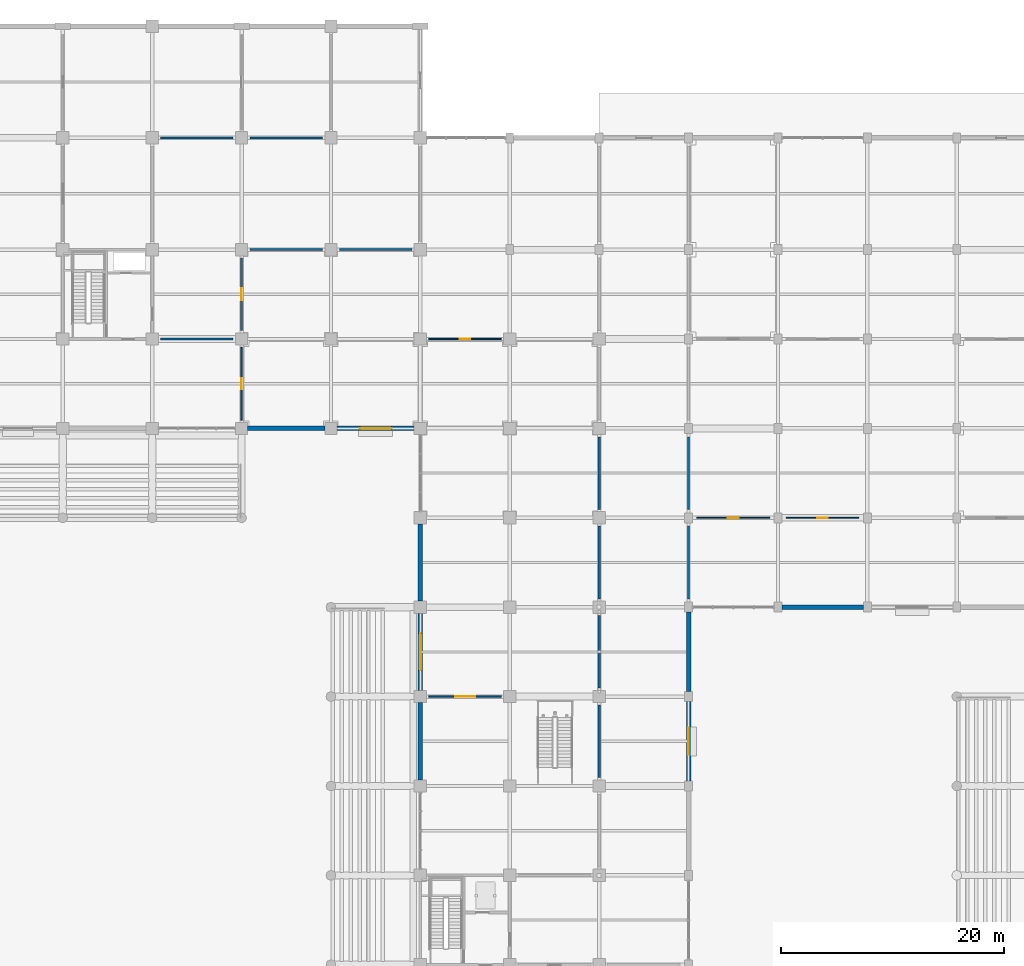
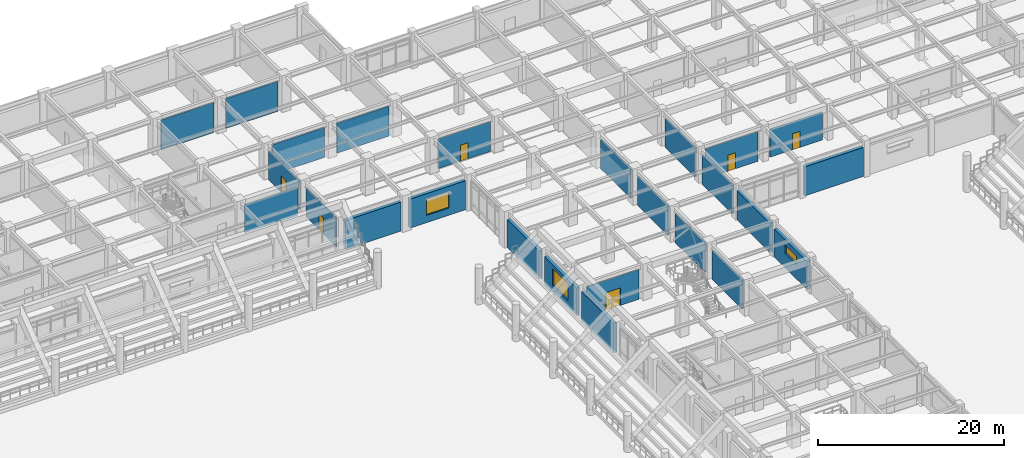
# One storey, part 91 of 125: 25 walls, 6 doors, 3 windows, 9 openings.
"""IFC4 building model written with IfcOpenShell, lengths in metres."""

import ifcopenshell
import ifcopenshell.guid

model = None  # the IFC model being written
_history = None  # IfcOwnerHistory: only IFC2X3 demands one
_inside = {}  # id of a spatial element -> (the spatial element, [elements in it])
_under = {}  # id of a project, library or spatial element -> (it, [spatial elements below it])
_declared = {}  # id of a project -> (the project, [libraries it declares])
_typed = {}  # id of a type object -> (the type object, [elements of that type])
_made_of = {}  # id of a material, layer set ... -> (it, [elements and type objects made of it])


def new_model(schema):
    """Start an empty IFC model of exactly this schema.

    Asked for "IFC4X3", IfcOpenShell would pick the latest addendum, in which some entities
    have other attributes; the version numbers below select the first issue.
    IFC2X3 requires an IfcOwnerHistory on every rooted entity: one is made here for all.
    """
    global model, _history
    if schema == "IFC4X3":
        model = ifcopenshell.file(schema_version=(4, 3, 0, 0))
    else:
        model = ifcopenshell.file(schema=schema)
    _inside.clear()
    _under.clear()
    _declared.clear()
    _typed.clear()
    _made_of.clear()
    _history = None
    if model.schema == "IFC2X3":
        org = make("IfcOrganization", Name="unknown")
        user = make(
            "IfcPersonAndOrganization",
            ThePerson=make("IfcPerson", FamilyName="unknown"),
            TheOrganization=org,
        )
        app = make(
            "IfcApplication",
            ApplicationDeveloper=org,
            Version="unknown",
            ApplicationFullName="unknown",
            ApplicationIdentifier="unknown",
        )
        _history = make(
            "IfcOwnerHistory",
            OwningUser=user,
            OwningApplication=app,
            ChangeAction="ADDED",
            CreationDate=0,
        )
    return model


def make(cls, **values):
    """One entity of the class cls with the attributes given. An attribute that is None is left unset."""
    return model.create_entity(
        cls, **{name: value for name, value in values.items() if value is not None}
    )


def rooted(cls, **values):
    """An entity with a GlobalId (a new one), such as an element, a storey or a relation."""
    return make(cls, GlobalId=ifcopenshell.guid.new(), OwnerHistory=_history, **values)


def si_unit(unit_type, name, prefix=None):
    """IfcSIUnit, for example si_unit("LENGTHUNIT", "METRE", prefix="MILLI")."""
    return make("IfcSIUnit", UnitType=unit_type, Prefix=prefix, Name=name)


def assignment(units):
    """IfcUnitAssignment: the units of a project."""
    return None if units is None else make("IfcUnitAssignment", Units=units)


def point(xyz):
    """IfcCartesianPoint."""
    return None if xyz is None else make("IfcCartesianPoint", Coordinates=xyz)


def direction(xyz):
    """IfcDirection."""
    return None if xyz is None else make("IfcDirection", DirectionRatios=xyz)


def frame(location, z_axis=None, x_axis=None):
    """IfcAxis2Placement3D, a coordinate frame: its origin and axes. An axis left out is left unset."""
    return make(
        "IfcAxis2Placement3D",
        Location=point(location),
        Axis=direction(z_axis),
        RefDirection=direction(x_axis),
    )


def frame_2d(location, x_axis=None):
    """IfcAxis2Placement2D, a coordinate frame in the plane: its origin and x axis."""
    return make(
        "IfcAxis2Placement2D", Location=point(location), RefDirection=direction(x_axis)
    )


def origin():
    """The frame at (0, 0, 0) with its axes left unset."""
    return frame((0.0, 0.0, 0.0))


def place(relative_to, where):
    """IfcLocalPlacement: puts the frame where relative to a parent placement (None: the world)."""
    return make(
        "IfcLocalPlacement", PlacementRelTo=relative_to, RelativePlacement=where
    )


def context(
    kind, dimensions, precision=None, world=None, true_north=None, identifier=None
):
    """IfcGeometricRepresentationContext, for example the 3D "Model" context."""
    return make(
        "IfcGeometricRepresentationContext",
        ContextIdentifier=identifier,
        ContextType=kind,
        CoordinateSpaceDimension=dimensions,
        Precision=precision,
        WorldCoordinateSystem=world,
        TrueNorth=true_north,
    )


def subcontext(parent, identifier, kind, view, scale=None):
    """IfcGeometricRepresentationSubContext, for example "Body" below "Model"."""
    return make(
        "IfcGeometricRepresentationSubContext",
        ContextIdentifier=identifier,
        ContextType=kind,
        ParentContext=parent,
        TargetScale=scale,
        TargetView=view,
    )


def project(units=None, contexts=None):
    """IfcProject with its units and contexts."""
    return rooted(
        "IfcProject",
        Name="project",
        RepresentationContexts=contexts,
        UnitsInContext=assignment(units),
    )


def spatial(cls, under=None, at=None, **own):
    """A site, building, storey or space (cls), placed at a placement, below another one or the project."""
    s = rooted(cls, ObjectPlacement=at, **own)
    if under is not None:
        _under.setdefault(under.id(), (under, []))[1].append(s)
    return s


def profile(cls, at=None, kind="AREA", **sizes):
    """A parametric profile (cls). Its sizes go by their IFC names, for example OverallWidth=200.0."""
    return make(cls, ProfileType=kind, Position=at, **sizes)


def rectangle(**sizes):
    """IfcRectangleProfileDef."""
    return profile("IfcRectangleProfileDef", **sizes)


def extrude(swept, where, along, depth):
    """IfcExtrudedAreaSolid: the profile swept, set in the frame where, extruded along a direction by depth."""
    return make(
        "IfcExtrudedAreaSolid",
        SweptArea=swept,
        Position=where,
        ExtrudedDirection=direction(along),
        Depth=depth,
    )


def shape(context_of_items, identifier, shape_type, items):
    """IfcShapeRepresentation: the items that make up one representation, for example the "Body"."""
    return make(
        "IfcShapeRepresentation",
        ContextOfItems=context_of_items,
        RepresentationIdentifier=identifier,
        RepresentationType=shape_type,
        Items=items,
    )


def material(Name=None, Category=None):
    """IfcMaterial."""
    return make("IfcMaterial", Name=Name, Category=Category)


def layer(
    of_material, thickness, ventilated=None, Name=None, Category=None, Priority=None
):
    """IfcMaterialLayer: one layer of a wall or slab, of a material (None: an air gap)."""
    return make(
        "IfcMaterialLayer",
        Material=of_material,
        LayerThickness=thickness,
        IsVentilated=ventilated,
        Name=Name,
        Category=Category,
        Priority=Priority,
    )


def layer_set(layers, Name=None):
    """IfcMaterialLayerSet."""
    return make("IfcMaterialLayerSet", MaterialLayers=layers, LayerSetName=Name)


def made_of(thing, what):
    """Note that an element or type object is made of a material, layer set ...; save() writes the relation."""
    if what is not None:
        _made_of.setdefault(what.id(), (what, []))[1].append(thing)
    return thing


def type_object(cls, material=None, **own):
    """A type object (cls), such as IfcWallType, which elements share."""
    return made_of(rooted(cls, **own), material)


def element(
    cls,
    number,
    at=None,
    inside=None,
    cuts=None,
    type_object=None,
    material=None,
    context=None,
    identifier="Body",
    shape_type=None,
    held_by="IfcProductDefinitionShape",
    body=None,
    shapes=None,
    **own,
):
    """One element of the class cls, such as IfcWall. Its Tag is "e" and its number.

    at: its placement. inside: the storey or other place that contains it. cuts: it is an
    opening in that element (IfcRelVoidsElement). A single representation is given by context,
    identifier, shape_type and body (its items); several are given by shapes. held_by: the class
    of the entity that holds the representations. save() writes the other relations.
    """
    e = rooted(cls, Tag="e%d" % number, ObjectPlacement=at, **own)
    if body is not None:
        shapes = [shape(context, identifier, shape_type, body)]
    if shapes is not None:
        e.Representation = make(held_by, Representations=shapes)
    if inside is not None:
        _inside.setdefault(inside.id(), (inside, []))[1].append(e)
    if cuts is not None:
        rooted(
            "IfcRelVoidsElement", RelatingBuildingElement=cuts, RelatedOpeningElement=e
        )
    if type_object is not None:
        _typed.setdefault(type_object.id(), (type_object, []))[1].append(e)
    return made_of(e, material)


def fill(opening, filler):
    """IfcRelFillsElement: the door or window that sits in an opening."""
    return rooted(
        "IfcRelFillsElement",
        RelatingOpeningElement=opening,
        RelatedBuildingElement=filler,
    )


def aggregate(whole, parts):
    """IfcRelAggregates: a whole, such as a stair, and the parts it consists of."""
    return rooted("IfcRelAggregates", RelatingObject=whole, RelatedObjects=parts)


def save(model, path):
    """Write the relations noted so far, then the file.

    IfcRelAggregates (storeys below a building ...), IfcRelContainedInSpatialStructure (elements
    in a storey), IfcRelDefinesByType, IfcRelAssociatesMaterial and IfcRelDeclares: one each for
    every whole, place, type object, material and project.
    """
    for whole, parts in _under.values():
        aggregate(whole, parts)
    for where, things in _inside.values():
        rooted(
            "IfcRelContainedInSpatialStructure",
            RelatedElements=things,
            RelatingStructure=where,
        )
    for kind, things in _typed.values():
        rooted("IfcRelDefinesByType", RelatedObjects=things, RelatingType=kind)
    for what, things in _made_of.values():
        rooted("IfcRelAssociatesMaterial", RelatedObjects=things, RelatingMaterial=what)
    for by, libraries in _declared.values():
        rooted("IfcRelDeclares", RelatingContext=by, RelatedDefinitions=libraries)
    model.write(path)


model = new_model("IFC4")

# Units and contexts
model_context = context("Model", 3, precision=1e-05, world=origin(), true_north=direction((0.0, 1.0)))
body_context = subcontext(model_context, "Body", "Model", "MODEL_VIEW")
ifc_project = project(units=[si_unit("LENGTHUNIT", "METRE"), si_unit("AREAUNIT", "SQUARE_METRE"), si_unit("VOLUMEUNIT", "CUBIC_METRE"), si_unit("PLANEANGLEUNIT", "RADIAN"), si_unit("MASSUNIT", "GRAM", prefix="KILO")], contexts=[model_context])

# Site, building, storey
site_placement = place(None, origin())
site = spatial("IfcSite", under=ifc_project, at=site_placement, CompositionType="ELEMENT")
building_placement = place(site_placement, origin())
building = spatial("IfcBuilding", under=site, at=building_placement, Name="Haebicheon Civic Stadium", CompositionType="ELEMENT")
storey_placement = place(building_placement, origin())
storey = spatial("IfcBuildingStorey", under=building, at=storey_placement, Name="L01", CompositionType="ELEMENT", Elevation=0.0)

# Wall
ifc_material_1 = material(Name="Concrete C40/50", Category="concrete")
ifc_layer_1 = layer(ifc_material_1, 0.39990234375, Name="Concrete C40/50")
ifc_layer_set_1 = layer_set([ifc_layer_1], Name="Concrete C40/50")
wall_type_1 = type_object("IfcWallType", Name="EW-BM-400", PredefinedType="SOLIDWALL", material=ifc_layer_set_1)
wall_1_placement = place(storey_placement, frame((128.550048828125, 152.0, 0.0), z_axis=(0.0, 0.0, 1.0), x_axis=(1.0, 0.0, 0.0)))
element("IfcWall", 1, at=wall_1_placement, inside=storey, type_object=wall_type_1, material=ifc_layer_set_1, Name="L01 board-marked concrete facade wall 16-19-S", PredefinedType="SOLIDWALL", context=body_context, shape_type="SweptSolid", body=[
    extrude(rectangle(XDim=6.89990234375, YDim=0.39990234375, at=frame_2d((3.449951171875, 0.0))), origin(), (0.0, 0.0, 1.0), 3.81005859375),
])

# Wall, opening, window
wall_2_placement = place(storey_placement, frame((136.550048828125, 152.0, 0.0), z_axis=(0.0, 0.0, 1.0), x_axis=(1.0, 0.0, 0.0)))
wall_2 = element("IfcWall", 2, at=wall_2_placement, inside=storey, type_object=wall_type_1, material=ifc_layer_set_1, Name="L01 board-marked concrete facade wall 17-19-S", PredefinedType="SOLIDWALL", context=body_context, shape_type="SweptSolid", body=[
    extrude(rectangle(XDim=6.89990234375, YDim=0.39990234375, at=frame_2d((3.449951171875, 0.0))), origin(), (0.0, 0.0, 1.0), 3.81005859375),
])
opening_1_placement = place(wall_2_placement, frame((2.02490234375, 0.0, 0.949951171875)))
opening_1 = element("IfcOpeningElement", 3, at=opening_1_placement, cuts=wall_2, Name="Opening WIN-285x210", PredefinedType="OPENING", context=body_context, shape_type="SweptSolid", body=[
    extrude(rectangle(XDim=2.85009765625, YDim=2.10009765625, at=frame_2d((1.425048828125, 1.050048828125))), frame((0.0, 0.2099609375, 0.0), z_axis=(0.0, -1.0, 0.0), x_axis=(1.0, 0.0, 0.0)), (0.0, 0.0, 1.0), 0.419921875),
])
ifc_material_2 = material(Name="Anodised aluminium and laminated glass", Category="aluminium")
window_type_1 = type_object("IfcWindowType", Name="WIN-285x210", PartitioningType="SINGLE_PANEL", PredefinedType="WINDOW", material=ifc_material_2)
window_1_placement = place(opening_1_placement, origin())
window_1 = element("IfcWindow", 4, at=window_1_placement, inside=storey, type_object=window_type_1, material=ifc_material_2, Name="L01 facade window 014", OverallHeight=2.10009765625, OverallWidth=2.85009765625, PartitioningType="SINGLE_PANEL", PredefinedType="WINDOW", context=body_context, shape_type="SweptSolid", body=[
    extrude(rectangle(XDim=2.85009765625, YDim=2.10009765625, at=frame_2d((1.425048828125, 1.050048828125))), frame((0.0, 0.030029296875, 0.0), z_axis=(0.0, -1.0, 0.0), x_axis=(1.0, 0.0, 0.0)), (0.0, 0.0, 1.0), 0.06005859375),
])
fill(opening_1, window_1)

# Wall
wall_3_placement = place(storey_placement, frame((144.0, 120.550048828125, 0.0), z_axis=(0.0, 0.0, 1.0), x_axis=(0.0, 1.0, 0.0)))
element("IfcWall", 5, at=wall_3_placement, inside=storey, type_object=wall_type_1, material=ifc_layer_set_1, Name="L01 board-marked concrete facade wall 18-15-W", PredefinedType="SOLIDWALL", context=body_context, shape_type="SweptSolid", body=[
    extrude(rectangle(XDim=6.89990234375, YDim=0.39990234375, at=frame_2d((3.449951171875, 0.0))), origin(), (0.0, 0.0, 1.0), 3.909912109375),
])

# Wall, opening, window
wall_4_placement = place(storey_placement, frame((144.0, 128.550048828125, 0.0), z_axis=(0.0, 0.0, 1.0), x_axis=(0.0, 1.0, 0.0)))
wall_4 = element("IfcWall", 6, at=wall_4_placement, inside=storey, type_object=wall_type_1, material=ifc_layer_set_1, Name="L01 board-marked concrete facade wall 18-16-W", PredefinedType="SOLIDWALL", context=body_context, shape_type="SweptSolid", body=[
    extrude(rectangle(XDim=6.89990234375, YDim=0.39990234375, at=frame_2d((3.449951171875, 0.0))), origin(), (0.0, 0.0, 1.0), 3.659912109375),
])
opening_2_placement = place(wall_4_placement, frame((1.800048828125, 0.0, 0.949951171875)))
opening_2 = element("IfcOpeningElement", 7, at=opening_2_placement, cuts=wall_4, Name="Opening WIN-330x220", PredefinedType="OPENING", context=body_context, shape_type="SweptSolid", body=[
    extrude(rectangle(XDim=3.300048828125, YDim=2.199951171875, at=frame_2d((1.64990234375, 1.10009765625))), frame((0.0, 0.2099609375, 0.0), z_axis=(0.0, -1.0, 0.0), x_axis=(1.0, 0.0, 0.0)), (0.0, 0.0, 1.0), 0.419921875),
])
ifc_material_3 = material(Name="Anodised aluminium and laminated glass", Category="aluminium")
window_type_2 = type_object("IfcWindowType", Name="WIN-330x220", PartitioningType="SINGLE_PANEL", PredefinedType="WINDOW", material=ifc_material_3)
window_2_placement = place(opening_2_placement, origin())
window_2 = element("IfcWindow", 8, at=window_2_placement, inside=storey, type_object=window_type_2, material=ifc_material_3, Name="L01 facade window 017", OverallHeight=2.199951171875, OverallWidth=3.300048828125, PartitioningType="SINGLE_PANEL", PredefinedType="WINDOW", context=body_context, shape_type="SweptSolid", body=[
    extrude(rectangle(XDim=3.300048828125, YDim=2.199951171875, at=frame_2d((1.64990234375, 1.10009765625))), frame((0.0, 0.030029296875, 0.0), z_axis=(0.0, -1.0, 0.0), x_axis=(1.0, 0.0, 0.0)), (0.0, 0.0, 1.0), 0.06005859375),
])
fill(opening_2, window_2)

# Wall
wall_5_placement = place(storey_placement, frame((144.0, 136.550048828125, 0.0), z_axis=(0.0, 0.0, 1.0), x_axis=(0.0, 1.0, 0.0)))
element("IfcWall", 9, at=wall_5_placement, inside=storey, type_object=wall_type_1, material=ifc_layer_set_1, Name="L01 board-marked concrete facade wall 18-17-W", PredefinedType="SOLIDWALL", context=body_context, shape_type="SweptSolid", body=[
    extrude(rectangle(XDim=6.89990234375, YDim=0.39990234375, at=frame_2d((3.449951171875, 0.0))), origin(), (0.0, 0.0, 1.0), 3.659912109375),
])

# Wall, opening, window
wall_6_placement = place(storey_placement, frame((168.0, 120.449951171875, 0.0), z_axis=(0.0, 0.0, 1.0), x_axis=(0.0, 1.0, 0.0)))
wall_6 = element("IfcWall", 10, at=wall_6_placement, inside=storey, type_object=wall_type_1, material=ifc_layer_set_1, Name="L01 board-marked concrete facade wall 21-15-E", PredefinedType="SOLIDWALL", context=body_context, shape_type="SweptSolid", body=[
    extrude(rectangle(XDim=7.10009765625, YDim=0.39990234375, at=frame_2d((3.550048828125, 0.0))), origin(), (0.0, 0.0, 1.0), 3.659912109375),
])
opening_3_placement = place(wall_6_placement, frame((2.35009765625, 0.0, 1.89990234375)))
opening_3 = element("IfcOpeningElement", 11, at=opening_3_placement, cuts=wall_6, Name="Opening WIN-240x110", PredefinedType="OPENING", context=body_context, shape_type="SweptSolid", body=[
    extrude(rectangle(XDim=2.39990234375, YDim=1.10009765625, at=frame_2d((1.199951171875, 0.550048828125))), frame((0.0, 0.2099609375, 0.0), z_axis=(0.0, -1.0, 0.0), x_axis=(1.0, 0.0, 0.0)), (0.0, 0.0, 1.0), 0.419921875),
])
ifc_material_4 = material(Name="Anodised aluminium and laminated glass", Category="aluminium")
window_type_3 = type_object("IfcWindowType", Name="WIN-240x110", PartitioningType="SINGLE_PANEL", PredefinedType="LIGHTDOME", material=ifc_material_4)
window_3_placement = place(opening_3_placement, origin())
window_3 = element("IfcWindow", 12, at=window_3_placement, inside=storey, type_object=window_type_3, material=ifc_material_4, Name="L01 facade window 020", OverallHeight=1.10009765625, OverallWidth=2.39990234375, PartitioningType="SINGLE_PANEL", PredefinedType="LIGHTDOME", context=body_context, shape_type="SweptSolid", body=[
    extrude(rectangle(XDim=2.39990234375, YDim=1.10009765625, at=frame_2d((1.199951171875, 0.550048828125))), frame((0.0, 0.030029296875, 0.0), z_axis=(0.0, -1.0, 0.0), x_axis=(1.0, 0.0, 0.0)), (0.0, 0.0, 1.0), 0.06005859375),
])
fill(opening_3, window_3)

# Walls
wall_7_placement = place(storey_placement, frame((168.0, 128.449951171875, 0.0), z_axis=(0.0, 0.0, 1.0), x_axis=(0.0, 1.0, 0.0)))
element("IfcWall", 13, at=wall_7_placement, inside=storey, type_object=wall_type_1, material=ifc_layer_set_1, Name="L01 board-marked concrete facade wall 21-16-E", PredefinedType="SOLIDWALL", context=body_context, shape_type="SweptSolid", body=[
    extrude(rectangle(XDim=7.10009765625, YDim=0.39990234375, at=frame_2d((3.550048828125, 0.0))), origin(), (0.0, 0.0, 1.0), 3.81005859375),
])
wall_8_placement = place(storey_placement, frame((176.35009765625, 136.0, 0.0), z_axis=(0.0, 0.0, 1.0), x_axis=(1.0, 0.0, 0.0)))
element("IfcWall", 14, at=wall_8_placement, inside=storey, type_object=wall_type_1, material=ifc_layer_set_1, Name="L01 board-marked concrete facade wall 22-17-S", PredefinedType="SOLIDWALL", context=body_context, shape_type="SweptSolid", body=[
    extrude(rectangle(XDim=7.2998046875, YDim=0.39990234375, at=frame_2d((3.64990234375, 0.0))), origin(), (0.0, 0.0, 1.0), 3.81005859375),
])
ifc_material_5 = material(Name="Concrete C35/45", Category="concrete")
ifc_layer_2 = layer(ifc_material_5, 0.199951171875, Name="Concrete C35/45")
ifc_layer_set_2 = layer_set([ifc_layer_2], Name="Concrete C35/45")
wall_type_2 = type_object("IfcWallType", Name="IW-FIR-200", PredefinedType="PARTITIONING", material=ifc_layer_set_2)
wall_9_placement = place(storey_placement, frame((160.0, 128.75, 0.0), z_axis=(0.0, 0.0, 1.0), x_axis=(0.0, 1.0, 0.0)))
element("IfcWall", 15, at=wall_9_placement, inside=storey, type_object=wall_type_2, material=ifc_layer_set_2, Name="L01 braced-frame solid fire wall 20-16", PredefinedType="PARTITIONING", context=body_context, shape_type="SweptSolid", body=[
    extrude(rectangle(XDim=6.5, YDim=0.199951171875, at=frame_2d((3.25, 0.0))), origin(), (0.0, 0.0, 1.0), 3.81005859375),
])

# Wall, opening, door
wall_10_placement = place(storey_placement, frame((128.0, 160.75, 0.0), z_axis=(0.0, 0.0, 1.0), x_axis=(0.0, 1.0, 0.0)))
wall_10 = element("IfcWall", 16, at=wall_10_placement, inside=storey, type_object=wall_type_2, material=ifc_layer_set_2, Name="L01 KC-09 protected exit passage EI 120 wall 01", PredefinedType="PARTITIONING", context=body_context, shape_type="SweptSolid", body=[
    extrude(rectangle(XDim=6.5, YDim=0.199951171875, at=frame_2d((3.25, 0.0))), origin(), (0.0, 0.0, 1.0), 3.81005859375),
])
opening_4_placement = place(wall_10_placement, frame((2.699951171875, 0.0, 0.0)))
opening_4 = element("IfcOpeningElement", 17, at=opening_4_placement, cuts=wall_10, Name="Opening D-L01-PXP-06", PredefinedType="OPENING", context=body_context, shape_type="SweptSolid", body=[
    extrude(rectangle(XDim=1.10009765625, YDim=2.199951171875, at=frame_2d((0.550048828125, 1.10009765625))), frame((0.0, 0.10986328125, 0.0), z_axis=(0.0, -1.0, 0.0), x_axis=(1.0, 0.0, 0.0)), (0.0, 0.0, 1.0), 0.219970703125),
])
ifc_material_6 = material(Name="Galvanised painted steel SM355", Category="steel")
door_type_1 = type_object("IfcDoorType", Name="ID-FD-1100", OperationType="NOTDEFINED", PredefinedType="DOOR", material=ifc_material_6)
door_1_placement = place(opening_4_placement, origin())
door_1 = element("IfcDoor", 18, at=door_1_placement, inside=storey, type_object=door_type_1, material=ifc_material_6, Name="L01 KC-09 protected exit passage lobby fire door", OperationType="SINGLE_SWING_RIGHT", OverallHeight=2.199951171875, OverallWidth=1.10009765625, PredefinedType="DOOR", context=body_context, shape_type="SweptSolid", body=[
    extrude(rectangle(XDim=1.10009765625, YDim=2.199951171875, at=frame_2d((0.550048828125, 1.10009765625))), frame((0.0, 0.02490234375, 0.0), z_axis=(0.0, -1.0, 0.0), x_axis=(1.0, 0.0, 0.0)), (0.0, 0.0, 1.0), 0.050048828125),
])
fill(opening_4, door_1)

# Walls
wall_11_placement = place(storey_placement, frame((120.75, 160.0, 0.0), z_axis=(0.0, 0.0, 1.0), x_axis=(1.0, 0.0, 0.0)))
element("IfcWall", 19, at=wall_11_placement, inside=storey, type_object=wall_type_2, material=ifc_layer_set_2, Name="L01 KC-09 protected exit passage EI 120 wall 02", PredefinedType="PARTITIONING", context=body_context, shape_type="SweptSolid", body=[
    extrude(rectangle(XDim=6.5, YDim=0.199951171875, at=frame_2d((3.25, 0.0))), origin(), (0.0, 0.0, 1.0), 3.659912109375),
])
for number, where, z_axis, x_axis, name in (
    (20, (120.75, 178.0, 0.0), (0.0, 0.0, 1.0), (1.0, 0.0, 0.0), "L01 KC-09 protected exit passage EI 120 wall 04"),
    (21, (128.75, 168.0, 0.0), (0.0, 0.0, 1.0), (1.0, 0.0, 0.0), "L01 KC-09 protected exit passage EI 120 wall 05"),
    (22, (128.75, 178.0, 0.0), (0.0, 0.0, 1.0), (1.0, 0.0, 0.0), "L01 KC-09 protected exit passage EI 120 wall 06"),
    (23, (136.75, 168.0, 0.0), (0.0, 0.0, 1.0), (1.0, 0.0, 0.0), "L01 KC-09 protected exit passage EI 120 wall 08"),
):
    element("IfcWall", number, at=place(storey_placement, frame(where, z_axis=z_axis, x_axis=x_axis)), inside=storey, type_object=wall_type_2, material=ifc_layer_set_2, Name=name, PredefinedType="PARTITIONING", context=body_context, shape_type="SweptSolid", body=[
        extrude(rectangle(XDim=6.5, YDim=0.199951171875, at=frame_2d((3.25, 0.0))), origin(), (0.0, 0.0, 1.0), 3.909912109375),
    ])
for number, where, z_axis, x_axis, name in (
    (24, (160.0, 120.75, 0.0), (0.0, 0.0, 1.0), (0.0, 1.0, 0.0), "L01 KC-11 protected exit passage EI 120 wall 05"),
    (25, (160.0, 136.75, 0.0), (0.0, 0.0, 1.0), (0.0, 1.0, 0.0), "L01 KC-11 protected exit passage EI 120 wall 07"),
    (26, (168.0, 136.75, 0.0), (0.0, 0.0, 1.0), (0.0, 1.0, 0.0), "L01 KC-11 protected exit passage EI 120 wall 08"),
    (27, (160.0, 144.75, 0.0), (0.0, 0.0, 1.0), (0.0, 1.0, 0.0), "L01 KC-11 protected exit passage EI 120 wall 09"),
    (28, (168.0, 144.75, 0.0), (0.0, 0.0, 1.0), (0.0, 1.0, 0.0), "L01 KC-11 protected exit passage EI 120 wall 10"),
):
    element("IfcWall", number, at=place(storey_placement, frame(where, z_axis=z_axis, x_axis=x_axis)), inside=storey, type_object=wall_type_2, material=ifc_layer_set_2, Name=name, PredefinedType="PARTITIONING", context=body_context, shape_type="SweptSolid", body=[
        extrude(rectangle(XDim=6.5, YDim=0.199951171875, at=frame_2d((3.25, 0.0))), origin(), (0.0, 0.0, 1.0), 3.81005859375),
    ])

# Wall, opening, door
ifc_material_7 = material(Name="Anodised aluminium and laminated glass", Category="aluminium")
ifc_layer_3 = layer(ifc_material_7, 0.10009765625, Name="Anodised aluminium and laminated glass")
ifc_layer_set_3 = layer_set([ifc_layer_3], Name="Anodised aluminium and laminated glass")
wall_type_3 = type_object("IfcWallType", Name="IW-PRT-100", PredefinedType="PARTITIONING", material=ifc_layer_set_3)
wall_12_placement = place(storey_placement, frame((144.75, 160.0, 0.0), z_axis=(0.0, 0.0, 1.0), x_axis=(1.0, 0.0, 0.0)))
wall_12 = element("IfcWall", 29, at=wall_12_placement, inside=storey, type_object=wall_type_3, material=ifc_layer_set_3, Name="L01 Hospitality Welcome Lounge partition wall", PredefinedType="PARTITIONING", context=body_context, shape_type="SweptSolid", body=[
    extrude(rectangle(XDim=6.5, YDim=0.10009765625, at=frame_2d((3.25, 0.0))), origin(), (0.0, 0.0, 1.0), 3.909912109375),
])
opening_5_placement = place(wall_12_placement, frame((2.77490234375, 0.0, 0.0)))
opening_5 = element("IfcOpeningElement", 30, at=opening_5_placement, cuts=wall_12, Name="Opening D-L01-153", PredefinedType="OPENING", context=body_context, shape_type="SweptSolid", body=[
    extrude(rectangle(XDim=0.949951171875, YDim=2.10009765625, at=frame_2d((0.47509765625, 1.050048828125))), frame((0.0, 0.06005859375, 0.0), z_axis=(0.0, -1.0, 0.0), x_axis=(1.0, 0.0, 0.0)), (0.0, 0.0, 1.0), 0.1201171875),
])
ifc_material_8 = material(Name="Engineered hardwood timber", Category="wood")
door_type_2 = type_object("IfcDoorType", Name="ID-RM-0950", OperationType="NOTDEFINED", PredefinedType="DOOR", material=ifc_material_8)
door_2_placement = place(opening_5_placement, origin())
door_2 = element("IfcDoor", 31, at=door_2_placement, inside=storey, type_object=door_type_2, material=ifc_material_8, Name="L01 Hospitality Welcome Lounge entrance door D-L01-153", OperationType="SINGLE_SWING_RIGHT", OverallHeight=2.10009765625, OverallWidth=0.949951171875, PredefinedType="DOOR", context=body_context, shape_type="SweptSolid", body=[
    extrude(rectangle(XDim=0.949951171875, YDim=2.10009765625, at=frame_2d((0.47509765625, 1.050048828125))), frame((0.0, 0.02490234375, 0.0), z_axis=(0.0, -1.0, 0.0), x_axis=(1.0, 0.0, 0.0)), (0.0, 0.0, 1.0), 0.050048828125),
])
fill(opening_5, door_2)

wall_13_placement = place(storey_placement, frame((168.75, 144.0, 0.0), z_axis=(0.0, 0.0, 1.0), x_axis=(1.0, 0.0, 0.0)))
wall_13 = element("IfcWall", 32, at=wall_13_placement, inside=storey, type_object=wall_type_3, material=ifc_layer_set_3, Name="L01 Hospitality Welcome Lounge partition wall", PredefinedType="PARTITIONING", context=body_context, shape_type="SweptSolid", body=[
    extrude(rectangle(XDim=6.5, YDim=0.10009765625, at=frame_2d((3.25, 0.0))), origin(), (0.0, 0.0, 1.0), 3.909912109375),
])
opening_6_placement = place(wall_13_placement, frame((2.77490234375, 0.0, 0.0)))
opening_6 = element("IfcOpeningElement", 33, at=opening_6_placement, cuts=wall_13, Name="Opening D-L01-157", PredefinedType="OPENING", context=body_context, shape_type="SweptSolid", body=[
    extrude(rectangle(XDim=0.949951171875, YDim=2.10009765625, at=frame_2d((0.47509765625, 1.050048828125))), frame((0.0, 0.06005859375, 0.0), z_axis=(0.0, -1.0, 0.0), x_axis=(1.0, 0.0, 0.0)), (0.0, 0.0, 1.0), 0.1201171875),
])
door_3_placement = place(opening_6_placement, origin())
door_3 = element("IfcDoor", 34, at=door_3_placement, inside=storey, type_object=door_type_2, material=ifc_material_8, Name="L01 Hospitality Welcome Lounge entrance door D-L01-157", OperationType="SINGLE_SWING_RIGHT", OverallHeight=2.10009765625, OverallWidth=0.949951171875, PredefinedType="DOOR", context=body_context, shape_type="SweptSolid", body=[
    extrude(rectangle(XDim=0.949951171875, YDim=2.10009765625, at=frame_2d((0.47509765625, 1.050048828125))), frame((0.0, 0.02490234375, 0.0), z_axis=(0.0, -1.0, 0.0), x_axis=(1.0, 0.0, 0.0)), (0.0, 0.0, 1.0), 0.050048828125),
])
fill(opening_6, door_3)

wall_14_placement = place(storey_placement, frame((176.75, 144.0, 0.0), z_axis=(0.0, 0.0, 1.0), x_axis=(1.0, 0.0, 0.0)))
wall_14 = element("IfcWall", 35, at=wall_14_placement, inside=storey, type_object=wall_type_3, material=ifc_layer_set_3, Name="L01 Hospitality Welcome Lounge partition wall", PredefinedType="PARTITIONING", context=body_context, shape_type="SweptSolid", body=[
    extrude(rectangle(XDim=6.5, YDim=0.10009765625, at=frame_2d((3.25, 0.0))), origin(), (0.0, 0.0, 1.0), 3.659912109375),
])
opening_7_placement = place(wall_14_placement, frame((2.77490234375, 0.0, 0.0)))
opening_7 = element("IfcOpeningElement", 36, at=opening_7_placement, cuts=wall_14, Name="Opening D-L01-161", PredefinedType="OPENING", context=body_context, shape_type="SweptSolid", body=[
    extrude(rectangle(XDim=0.949951171875, YDim=2.10009765625, at=frame_2d((0.47509765625, 1.050048828125))), frame((0.0, 0.06005859375, 0.0), z_axis=(0.0, -1.0, 0.0), x_axis=(1.0, 0.0, 0.0)), (0.0, 0.0, 1.0), 0.1201171875),
])
door_4_placement = place(opening_7_placement, origin())
door_4 = element("IfcDoor", 37, at=door_4_placement, inside=storey, type_object=door_type_2, material=ifc_material_8, Name="L01 Hospitality Welcome Lounge entrance door D-L01-161", OperationType="SINGLE_SWING_RIGHT", OverallHeight=2.10009765625, OverallWidth=0.949951171875, PredefinedType="DOOR", context=body_context, shape_type="SweptSolid", body=[
    extrude(rectangle(XDim=0.949951171875, YDim=2.10009765625, at=frame_2d((0.47509765625, 1.050048828125))), frame((0.0, 0.02490234375, 0.0), z_axis=(0.0, -1.0, 0.0), x_axis=(1.0, 0.0, 0.0)), (0.0, 0.0, 1.0), 0.050048828125),
])
fill(opening_7, door_4)

ifc_material_9 = material(Name="Gypsum plasterboard on steel studs", Category="gypsum")
ifc_layer_4 = layer(ifc_material_9, 0.1201171875, Name="Gypsum plasterboard on steel studs")
ifc_layer_set_4 = layer_set([ifc_layer_4], Name="Gypsum plasterboard on steel studs")
wall_type_4 = type_object("IfcWallType", Name="IW-PRT-120", PredefinedType="PARTITIONING", material=ifc_layer_set_4)
wall_15_placement = place(storey_placement, frame((128.0, 152.75, 0.0), z_axis=(0.0, 0.0, 1.0), x_axis=(0.0, 1.0, 0.0)))
wall_15 = element("IfcWall", 38, at=wall_15_placement, inside=storey, type_object=wall_type_4, material=ifc_layer_set_4, Name="L01 Food and Beverage Kiosk partition wall", PredefinedType="PARTITIONING", context=body_context, shape_type="SweptSolid", body=[
    extrude(rectangle(XDim=6.5, YDim=0.1201171875, at=frame_2d((3.25, 0.0))), origin(), (0.0, 0.0, 1.0), 3.81005859375),
])
opening_8_placement = place(wall_15_placement, frame((2.75, 0.0, 0.0)))
opening_8 = element("IfcOpeningElement", 39, at=opening_8_placement, cuts=wall_15, Name="Opening D-L01-134", PredefinedType="OPENING", context=body_context, shape_type="SweptSolid", body=[
    extrude(rectangle(XDim=1.0, YDim=2.10009765625, at=frame_2d((0.5, 1.050048828125))), frame((0.0, 0.070068359375, 0.0), z_axis=(0.0, -1.0, 0.0), x_axis=(1.0, 0.0, 0.0)), (0.0, 0.0, 1.0), 0.14013671875),
])
ifc_material_10 = material(Name="Engineered hardwood timber", Category="wood")
door_type_3 = type_object("IfcDoorType", Name="ID-RM-1000", OperationType="NOTDEFINED", PredefinedType="DOOR", material=ifc_material_10)
door_5_placement = place(opening_8_placement, origin())
door_5 = element("IfcDoor", 40, at=door_5_placement, inside=storey, type_object=door_type_3, material=ifc_material_10, Name="L01 Food and Beverage Kiosk entrance door D-L01-134", OperationType="SINGLE_SWING_RIGHT", OverallHeight=2.10009765625, OverallWidth=1.0, PredefinedType="DOOR", context=body_context, shape_type="SweptSolid", body=[
    extrude(rectangle(XDim=1.0, YDim=2.10009765625, at=frame_2d((0.5, 1.050048828125))), frame((0.0, 0.02490234375, 0.0), z_axis=(0.0, -1.0, 0.0), x_axis=(1.0, 0.0, 0.0)), (0.0, 0.0, 1.0), 0.050048828125),
])
fill(opening_8, door_5)

ifc_material_11 = material(Name="Gypsum plasterboard on steel studs", Category="gypsum")
ifc_layer_5 = layer(ifc_material_11, 0.14990234375, Name="Gypsum plasterboard on steel studs")
ifc_layer_set_5 = layer_set([ifc_layer_5], Name="Gypsum plasterboard on steel studs")
wall_type_5 = type_object("IfcWallType", Name="IW-PRT-150", PredefinedType="PARTITIONING", material=ifc_layer_set_5)
wall_16_placement = place(storey_placement, frame((144.75, 128.0, 0.0), z_axis=(0.0, 0.0, 1.0), x_axis=(1.0, 0.0, 0.0)))
wall_16 = element("IfcWall", 41, at=wall_16_placement, inside=storey, type_object=wall_type_5, material=ifc_layer_set_5, Name="L01 Supporters' Dining Hall partition wall", PredefinedType="PARTITIONING", context=body_context, shape_type="SweptSolid", body=[
    extrude(rectangle(XDim=6.5, YDim=0.14990234375, at=frame_2d((3.25, 0.0))), origin(), (0.0, 0.0, 1.0), 3.909912109375),
])
opening_9_placement = place(wall_16_placement, frame((2.35009765625, 0.0, 0.0)))
opening_9 = element("IfcOpeningElement", 42, at=opening_9_placement, cuts=wall_16, Name="Opening D-L01-138", PredefinedType="OPENING", context=body_context, shape_type="SweptSolid", body=[
    extrude(rectangle(XDim=1.800048828125, YDim=2.300048828125, at=frame_2d((0.89990234375, 1.14990234375))), frame((0.0, 0.0849609375, 0.0), z_axis=(0.0, -1.0, 0.0), x_axis=(1.0, 0.0, 0.0)), (0.0, 0.0, 1.0), 0.169921875),
])
ifc_material_12 = material(Name="Galvanised painted steel SM355", Category="steel")
door_type_4 = type_object("IfcDoorType", Name="ID-DBL-1800", OperationType="NOTDEFINED", PredefinedType="DOOR", material=ifc_material_12)
door_6_placement = place(opening_9_placement, origin())
door_6 = element("IfcDoor", 43, at=door_6_placement, inside=storey, type_object=door_type_4, material=ifc_material_12, Name="L01 Supporters' Dining Hall entrance door D-L01-138", OperationType="DOUBLE_SWING_LEFT", OverallHeight=2.300048828125, OverallWidth=1.800048828125, PredefinedType="DOOR", context=body_context, shape_type="SweptSolid", body=[
    extrude(rectangle(XDim=1.800048828125, YDim=2.300048828125, at=frame_2d((0.89990234375, 1.14990234375))), frame((0.0, 0.02490234375, 0.0), z_axis=(0.0, -1.0, 0.0), x_axis=(1.0, 0.0, 0.0)), (0.0, 0.0, 1.0), 0.050048828125),
])
fill(opening_9, door_6)

save(model, "model.ifc")
